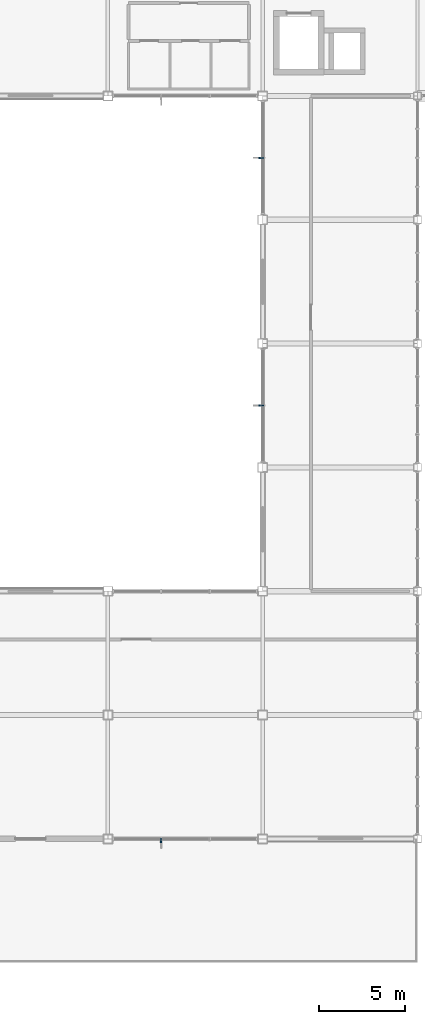
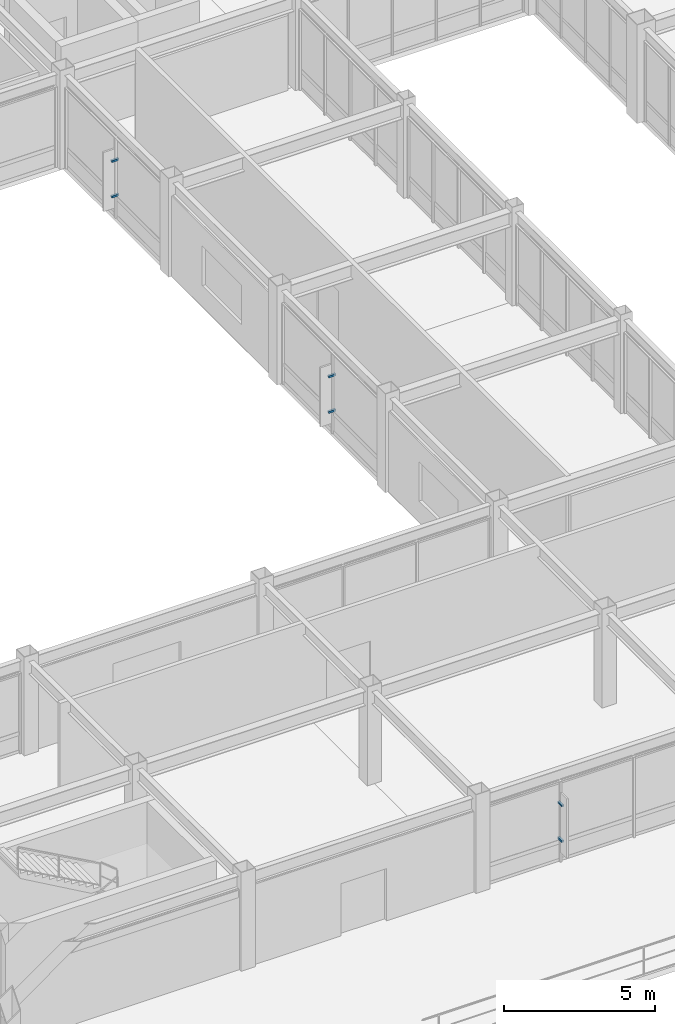
# One storey, part 111 of 122: 6 discrete accessories.
"""IFC4 building model written with IfcOpenShell, lengths in metres."""

from ifc_helpers import new_model, si_unit, direction, frame, origin, origin_2d, place, context, subcontext, project, spatial, rectangle, extrude, material, type_object, element, save


model = new_model("IFC4")

# Units and contexts
model_context = context("Model", 3, precision=1e-05, world=origin(), true_north=direction((0.0, 1.0)))
body_context = subcontext(model_context, "Body", "Model", "MODEL_VIEW")
ifc_project = project(units=[si_unit("LENGTHUNIT", "METRE"), si_unit("AREAUNIT", "SQUARE_METRE"), si_unit("VOLUMEUNIT", "CUBIC_METRE"), si_unit("PLANEANGLEUNIT", "RADIAN"), si_unit("MASSUNIT", "GRAM", prefix="KILO")], contexts=[model_context])

# Site, building, storey
site_placement = place(None, origin())
site = spatial("IfcSite", under=ifc_project, at=site_placement, CompositionType="ELEMENT")
building_placement = place(site_placement, origin())
building = spatial("IfcBuilding", under=site, at=building_placement, Name="Kazanami Central Library", CompositionType="ELEMENT")
storey_placement = place(building_placement, frame((0.0, 0.0, 4.800048828125)))
storey = spatial("IfcBuildingStorey", under=building, at=storey_placement, Name="L02", CompositionType="ELEMENT", Elevation=4.800048828125)

# Discrete accessories
ifc_material = material(Name="Stainless Steel SUS304", Category="steel")
discrete_accessory_type = type_object("IfcDiscreteAccessoryType", Name="ACC-BRK-1", PredefinedType="BRACKET", material=ifc_material)
for number, where, z_axis, x_axis, name in (
    (1, (93.091552734375, 21.510009765625, 0.867431640625), (0.0, 0.0, 1.0), (1.0, 0.0, 0.0), "Solar Fin Outrigger Bracket L02 S-D-10.1.1"),
    (2, (93.091552734375, 21.510009765625, 2.307373046875), (0.0, 0.0, 1.0), (1.0, 0.0, 0.0), "Solar Fin Outrigger Bracket L02 S-D-10.1.2"),
    (3, (98.909912109375, 46.800048828125, 0.867431640625), (0.0, 0.0, 1.0), (0.0, 1.0, 0.0), "Solar Fin Outrigger Bracket L02 W-12-06.1.1"),
    (4, (98.909912109375, 46.800048828125, 2.307373046875), (0.0, 0.0, 1.0), (0.0, 1.0, 0.0), "Solar Fin Outrigger Bracket L02 W-12-06.1.2"),
    (5, (98.909912109375, 61.199951171875, 0.867431640625), (0.0, 0.0, 1.0), (0.0, 1.0, 0.0), "Solar Fin Outrigger Bracket L02 W-12-08.1.1"),
    (6, (98.909912109375, 61.199951171875, 2.307373046875), (0.0, 0.0, 1.0), (0.0, 1.0, 0.0), "Solar Fin Outrigger Bracket L02 W-12-08.1.2"),
):
    element("IfcDiscreteAccessory", number, at=place(storey_placement, frame(where, z_axis=z_axis, x_axis=x_axis)), inside=storey, type_object=discrete_accessory_type, Name=name, PredefinedType="BRACKET", context=body_context, shape_type="SweptSolid", body=[
        extrude(rectangle(XDim=0.080078125, YDim=0.280029296875, at=origin_2d()), origin(), (0.0, 0.0, 1.0), 0.080078125),
    ])

save(model, "model.ifc")
